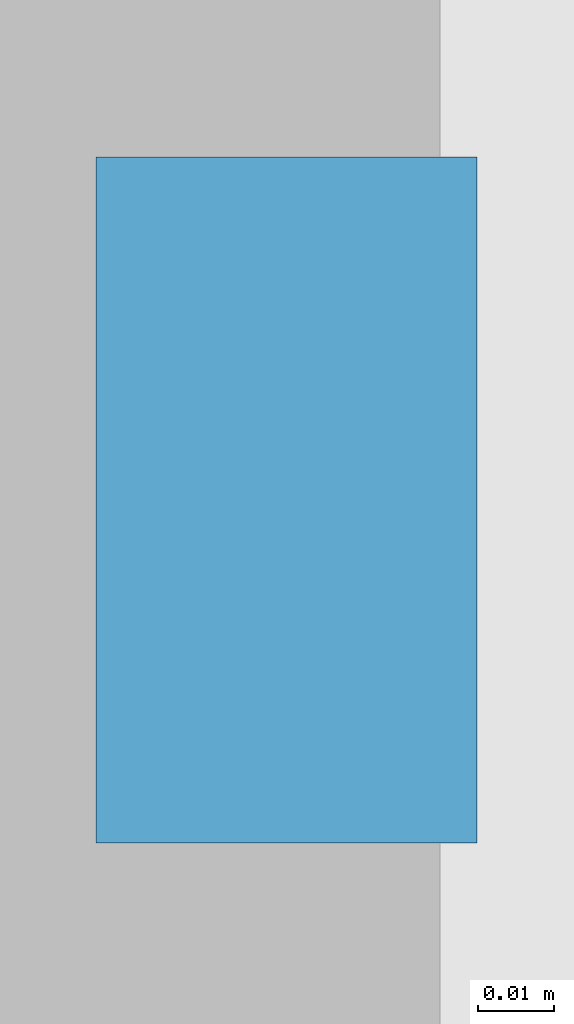
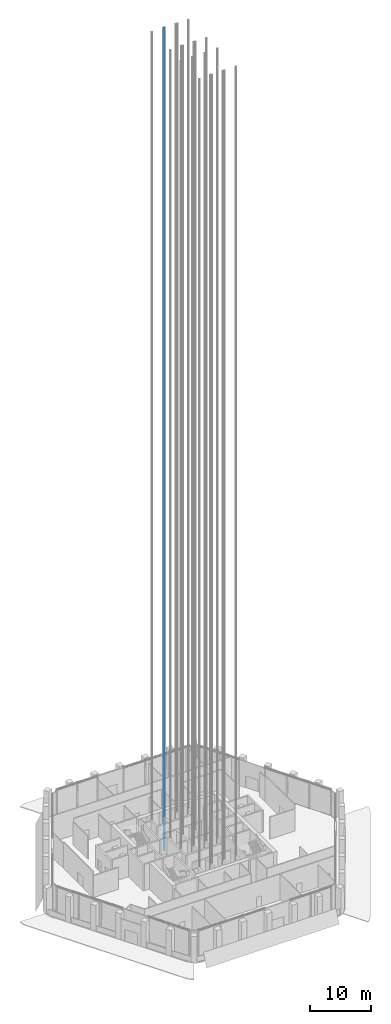
# One storey, part 36 of 42: 1 discrete accessory.
"""IFC4 building model written with IfcOpenShell, lengths in metres."""

from ifc_helpers import new_model, si_unit, direction, frame, origin, origin_2d, place, context, subcontext, project, spatial, rectangle, extrude, element, save


model = new_model("IFC4")

# Units and contexts
model_context = context("Model", 3, precision=1e-05, world=origin(), true_north=direction((0.0, 1.0)))
body_context = subcontext(model_context, "Body", "Model", "MODEL_VIEW")
ifc_project = project(units=[si_unit("LENGTHUNIT", "METRE"), si_unit("AREAUNIT", "SQUARE_METRE"), si_unit("VOLUMEUNIT", "CUBIC_METRE"), si_unit("PLANEANGLEUNIT", "RADIAN"), si_unit("MASSUNIT", "GRAM", prefix="KILO")], contexts=[model_context])

# Site, building, storey
site_placement = place(None, origin())
site = spatial("IfcSite", under=ifc_project, at=site_placement, CompositionType="ELEMENT")
building_placement = place(site_placement, origin())
building = spatial("IfcBuilding", under=site, at=building_placement, Name="Kolab Exchange Tower", CompositionType="ELEMENT")
storey_placement = place(building_placement, frame((0.0, 0.0, 133.39990234375)))
storey = spatial("IfcBuildingStorey", under=building, at=storey_placement, Name="L26", CompositionType="ELEMENT", Elevation=133.39990234375)

# Discrete accessory
discrete_accessory_placement = place(storey_placement, frame((-1.070068359375, 7.800048828125, -1.599853515625), z_axis=(0.0, 0.0, 1.0), x_axis=(1.0, 0.0, 0.0)))
element("IfcDiscreteAccessory", 1, at=discrete_accessory_placement, inside=storey, Name="Guide rail HR2-1", ObjectType="GUIDE RAIL", PredefinedType="USERDEFINED", context=body_context, shape_type="SweptSolid", body=[
    extrude(rectangle(XDim=0.050048828125, YDim=0.090087890625, at=origin_2d()), origin(), (0.0, 0.0, 1.0), 165.60009765625),
])

save(model, "model.ifc")
